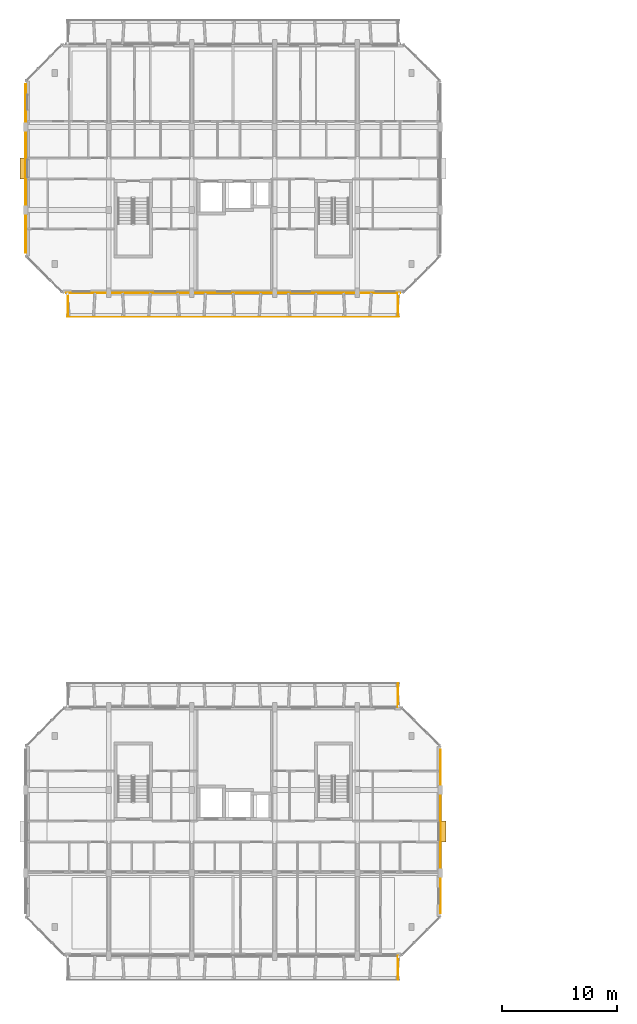
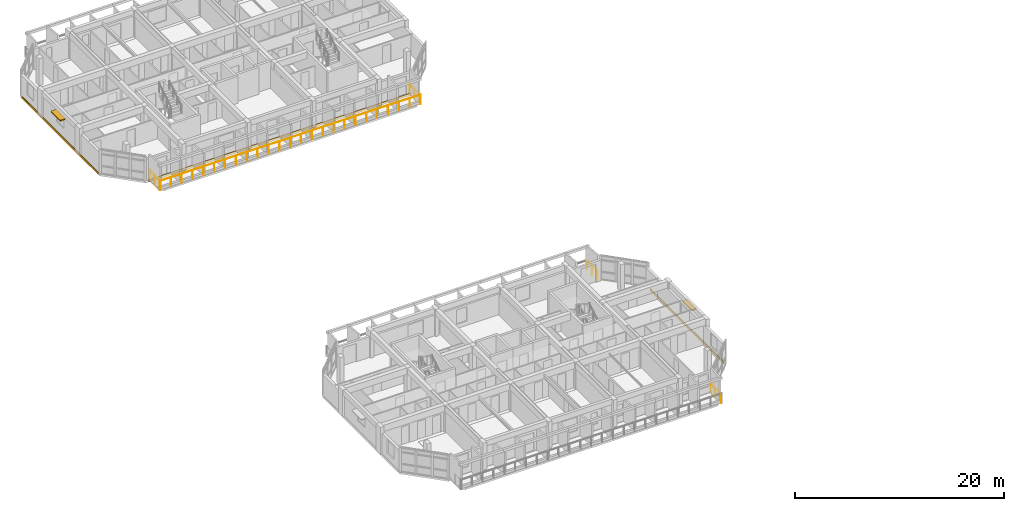
# One storey, part 38 of 45: 5 railings, 3 coverings, 2 shading devices.
"""IFC4 building model written with IfcOpenShell, lengths in metres."""

from ifc_helpers import new_model, si_unit, direction, frame, origin, origin_2d, place, context, subcontext, project, spatial, rectangle, circle, extrude, material, layer, layer_set, type_object, element, save


model = new_model("IFC4")

# Units and contexts
model_context = context("Model", 3, precision=1e-05, world=origin(), true_north=direction((0.0, 1.0)))
body_context = subcontext(model_context, "Body", "Model", "MODEL_VIEW")
ifc_project = project(units=[si_unit("LENGTHUNIT", "METRE"), si_unit("AREAUNIT", "SQUARE_METRE"), si_unit("VOLUMEUNIT", "CUBIC_METRE"), si_unit("PLANEANGLEUNIT", "RADIAN"), si_unit("MASSUNIT", "GRAM", prefix="KILO")], contexts=[model_context])

# Site, building, storey
site_placement = place(None, origin())
site = spatial("IfcSite", under=ifc_project, at=site_placement, CompositionType="ELEMENT")
building_placement = place(site_placement, origin())
building = spatial("IfcBuilding", under=site, at=building_placement, Name="Ochrevale Crest", CompositionType="ELEMENT")
storey_placement = place(building_placement, frame((0.0, 0.0, 18.14990234375)))
storey = spatial("IfcBuildingStorey", under=building, at=storey_placement, Name="L05", CompositionType="ELEMENT", Elevation=18.14990234375)

# Coverings
ifc_material_1 = material(Name="Glazed terracotta rainscreen tile", Category="masonry")
ifc_layer = layer(ifc_material_1, 0.048095703125)
ifc_layer_set = layer_set([ifc_layer], Name="Glazed terracotta rainscreen tile")
covering_type = type_object("IfcCoveringType", Name="COV-CLAD-TER", PredefinedType="CLADDING", material=ifc_layer_set)
covering_1_placement = place(storey_placement, frame((36.014404296875, 25.199951171875, -0.259765625), z_axis=(0.0, 0.0, 1.0), x_axis=(0.0, 1.0, 0.0)))
element("IfcCovering", 1, at=covering_1_placement, inside=storey, type_object=covering_type, Name="Block A L05 terracotta slab-edge spandrel cladding", PredefinedType="CLADDING", context=body_context, shape_type="SweptSolid", body=[
    extrude(rectangle(XDim=14.199951171875, YDim=0.06005859375, at=origin_2d()), origin(), (0.0, 0.0, 1.0), 0.280029296875),
])
covering_2_placement = place(storey_placement, frame((18.0, 71.987548828125, -0.259765625), z_axis=(0.0, 0.0, 1.0), x_axis=(1.0, 0.0, 0.0)))
element("IfcCovering", 2, at=covering_2_placement, inside=storey, type_object=covering_type, Name="Block B L05 terracotta slab-edge spandrel cladding", PredefinedType="CLADDING", context=body_context, shape_type="SweptSolid", body=[
    extrude(rectangle(XDim=29.0, YDim=0.06005859375, at=origin_2d()), origin(), (0.0, 0.0, 1.0), 0.280029296875),
])
covering_3_placement = place(storey_placement, frame((-0.014404296875, 82.800048828125, -0.259765625), z_axis=(0.0, 0.0, 1.0), x_axis=(0.0, -1.0, 0.0)))
element("IfcCovering", 3, at=covering_3_placement, inside=storey, type_object=covering_type, Name="Block B L05 terracotta slab-edge spandrel cladding", PredefinedType="CLADDING", context=body_context, shape_type="SweptSolid", body=[
    extrude(rectangle(XDim=14.60009765625, YDim=0.06005859375, at=origin_2d()), origin(), (0.0, 0.0, 1.0), 0.280029296875),
])

# Railings
ifc_material_2 = material(Name="Galvanised steel", Category="steel")
railing_type = type_object("IfcRailingType", Name="RL-BAL-1100", PredefinedType="BALUSTRADE", material=ifc_material_2)
railing_1_placement = place(storey_placement, frame((32.340087890625, 14.39990234375, 0.0)))
element("IfcRailing", 4, at=railing_1_placement, inside=storey, type_object=railing_type, Name="Block A L05 S-E balcony side guard", PredefinedType="BALUSTRADE", context=body_context, shape_type="SweptSolid", body=[
    extrude(circle(Radius=0.02392578125, at=origin_2d()), frame((0.0, 0.0, 1.0859375), z_axis=(0.0, -1.0, 0.0), x_axis=(1.0, 0.0, 0.0)), (0.0, 0.0, 1.0), 2.039794921875),
    extrude(circle(Radius=0.02099609375, at=origin_2d()), origin(), (0.0, 0.0, 1.0), 1.06201171875),
    extrude(circle(Radius=0.02099609375, at=origin_2d()), frame((0.0, -1.02001953125, 0.0)), (0.0, 0.0, 1.0), 1.06201171875),
    extrude(circle(Radius=0.02099609375, at=origin_2d()), frame((0.0, -2.039794921875, 0.0)), (0.0, 0.0, 1.0), 1.06201171875),
])
railing_2_placement = place(storey_placement, frame((32.340087890625, 36.0, 0.0)))
element("IfcRailing", 5, at=railing_2_placement, inside=storey, type_object=railing_type, Name="Block A L05 N-E balcony side guard", PredefinedType="BALUSTRADE", context=body_context, shape_type="SweptSolid", body=[
    extrude(circle(Radius=0.02392578125, at=origin_2d()), frame((0.0, 0.0, 1.0859375), z_axis=(0.0, 1.0, 0.0), x_axis=(-1.0, 0.0, 0.0)), (0.0, 0.0, 1.0), 2.0400390625),
    extrude(circle(Radius=0.02099609375, at=origin_2d()), origin(), (0.0, 0.0, 1.0), 1.06201171875),
    extrude(circle(Radius=0.02099609375, at=origin_2d()), frame((0.0, 1.02001953125, 0.0)), (0.0, 0.0, 1.0), 1.06201171875),
    extrude(circle(Radius=0.02099609375, at=origin_2d()), frame((0.0, 2.0400390625, 0.0)), (0.0, 0.0, 1.0), 1.06201171875),
])
railing_3_placement = place(storey_placement, frame((3.60009765625, 69.9599609375, 0.0)))
element("IfcRailing", 6, at=railing_3_placement, inside=storey, type_object=railing_type, Name="Block B L05 S balcony front balustrade", PredefinedType="BALUSTRADE", context=body_context, shape_type="SweptSolid", body=[
    extrude(circle(Radius=0.02392578125, at=origin_2d()), frame((0.0, 0.0, 1.0859375), z_axis=(1.0, 0.0, 0.0), x_axis=(0.0, 1.0, 0.0)), (0.0, 0.0, 1.0), 28.7998046875),
    extrude(circle(Radius=0.02099609375, at=origin_2d()), origin(), (0.0, 0.0, 1.0), 1.06201171875),
    extrude(circle(Radius=0.02099609375, at=origin_2d()), frame((1.199951171875, 0.0, 0.0)), (0.0, 0.0, 1.0), 1.06201171875),
    extrude(circle(Radius=0.02099609375, at=origin_2d()), frame((2.39990234375, 0.0, 0.0)), (0.0, 0.0, 1.0), 1.06201171875),
    extrude(circle(Radius=0.02099609375, at=origin_2d()), frame((3.60009765625, 0.0, 0.0)), (0.0, 0.0, 1.0), 1.06201171875),
    extrude(circle(Radius=0.02099609375, at=origin_2d()), frame((4.800048828125, 0.0, 0.0)), (0.0, 0.0, 1.0), 1.06201171875),
    extrude(circle(Radius=0.02099609375, at=origin_2d()), frame((6.0, 0.0, 0.0)), (0.0, 0.0, 1.0), 1.06201171875),
    extrude(circle(Radius=0.02099609375, at=origin_2d()), frame((7.199951171875, 0.0, 0.0)), (0.0, 0.0, 1.0), 1.06201171875),
    extrude(circle(Radius=0.02099609375, at=origin_2d()), frame((8.39990234375, 0.0, 0.0)), (0.0, 0.0, 1.0), 1.06201171875),
    extrude(circle(Radius=0.02099609375, at=origin_2d()), frame((9.599853515625, 0.0, 0.0)), (0.0, 0.0, 1.0), 1.06201171875),
    extrude(circle(Radius=0.02099609375, at=origin_2d()), frame((10.7998046875, 0.0, 0.0)), (0.0, 0.0, 1.0), 1.06201171875),
    extrude(circle(Radius=0.02099609375, at=origin_2d()), frame((12.0, 0.0, 0.0)), (0.0, 0.0, 1.0), 1.06201171875),
    extrude(circle(Radius=0.02099609375, at=origin_2d()), frame((13.199951171875, 0.0, 0.0)), (0.0, 0.0, 1.0), 1.06201171875),
    extrude(circle(Radius=0.02099609375, at=origin_2d()), frame((14.39990234375, 0.0, 0.0)), (0.0, 0.0, 1.0), 1.06201171875),
    extrude(circle(Radius=0.02099609375, at=origin_2d()), frame((15.599853515625, 0.0, 0.0)), (0.0, 0.0, 1.0), 1.06201171875),
    extrude(circle(Radius=0.02099609375, at=origin_2d()), frame((16.7998046875, 0.0, 0.0)), (0.0, 0.0, 1.0), 1.06201171875),
    extrude(circle(Radius=0.02099609375, at=origin_2d()), frame((18.0, 0.0, 0.0)), (0.0, 0.0, 1.0), 1.06201171875),
    extrude(circle(Radius=0.02099609375, at=origin_2d()), frame((19.199951171875, 0.0, 0.0)), (0.0, 0.0, 1.0), 1.06201171875),
    extrude(circle(Radius=0.02099609375, at=origin_2d()), frame((20.39990234375, 0.0, 0.0)), (0.0, 0.0, 1.0), 1.06201171875),
    extrude(circle(Radius=0.02099609375, at=origin_2d()), frame((21.599853515625, 0.0, 0.0)), (0.0, 0.0, 1.0), 1.06201171875),
    extrude(circle(Radius=0.02099609375, at=origin_2d()), frame((22.7998046875, 0.0, 0.0)), (0.0, 0.0, 1.0), 1.06201171875),
    extrude(circle(Radius=0.02099609375, at=origin_2d()), frame((23.999755859375, 0.0, 0.0)), (0.0, 0.0, 1.0), 1.06201171875),
    extrude(circle(Radius=0.02099609375, at=origin_2d()), frame((25.19970703125, 0.0, 0.0)), (0.0, 0.0, 1.0), 1.06201171875),
    extrude(circle(Radius=0.02099609375, at=origin_2d()), frame((26.39990234375, 0.0, 0.0)), (0.0, 0.0, 1.0), 1.06201171875),
    extrude(circle(Radius=0.02099609375, at=origin_2d()), frame((27.599853515625, 0.0, 0.0)), (0.0, 0.0, 1.0), 1.06201171875),
    extrude(circle(Radius=0.02099609375, at=origin_2d()), frame((28.7998046875, 0.0, 0.0)), (0.0, 0.0, 1.0), 1.06201171875),
])
for number, where, name in (
    (7, (3.659912109375, 72.0, 0.0), "Block B L05 S-W balcony side guard"),
    (8, (32.340087890625, 72.0, 0.0), "Block B L05 S-E balcony side guard"),
):
    element("IfcRailing", number, at=place(storey_placement, frame(where)), inside=storey, type_object=railing_type, Name=name, PredefinedType="BALUSTRADE", context=body_context, shape_type="SweptSolid", body=[
        extrude(circle(Radius=0.02392578125, at=origin_2d()), frame((0.0, 0.0, 1.0859375), z_axis=(0.0, -1.0, 0.0), x_axis=(1.0, 0.0, 0.0)), (0.0, 0.0, 1.0), 2.0400390625),
        extrude(circle(Radius=0.02099609375, at=origin_2d()), origin(), (0.0, 0.0, 1.0), 1.06201171875),
        extrude(circle(Radius=0.02099609375, at=origin_2d()), frame((0.0, -1.02001953125, 0.0)), (0.0, 0.0, 1.0), 1.06201171875),
        extrude(circle(Radius=0.02099609375, at=origin_2d()), frame((0.0, -2.0400390625, 0.0)), (0.0, 0.0, 1.0), 1.06201171875),
    ])

# Shading devices
ifc_material_3 = material(Name="Anodised aluminium 6063-T5", Category="aluminium")
shading_device_type = type_object("IfcShadingDeviceType", Name="SHD-SUNSHADE-OC", PredefinedType="USERDEFINED", material=ifc_material_3)
for number, where, z_axis, x_axis, name in (
    (9, (36.239990234375, 25.199951171875, 2.2099609375), (0.0, 0.0, 1.0), (1.0, 0.0, 0.0), "Block A L05 gable window sunshade E"),
    (10, (-0.239990234375, 82.800048828125, 2.2099609375), (0.0, 0.0, 1.0), (1.0, 0.0, 0.0), "Block B L05 gable window sunshade W"),
):
    element("IfcShadingDevice", number, at=place(storey_placement, frame(where, z_axis=z_axis, x_axis=x_axis)), inside=storey, type_object=shading_device_type, Name=name, ObjectType="HORIZONTAL SUNSHADE", PredefinedType="USERDEFINED", context=body_context, shape_type="SweptSolid", body=[
        extrude(rectangle(XDim=0.550048828125, YDim=1.800048828125, at=origin_2d()), origin(), (0.0, 0.0, 1.0), 0.139892578125),
    ])

save(model, "model.ifc")
